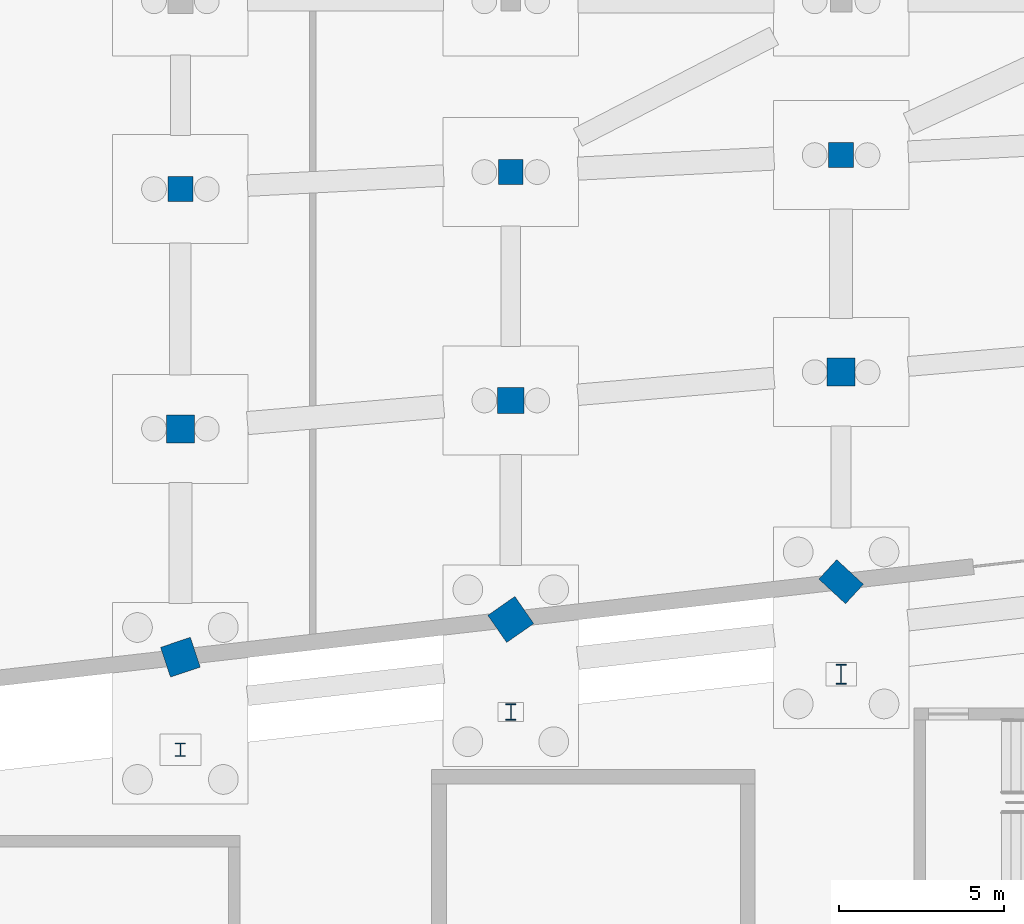
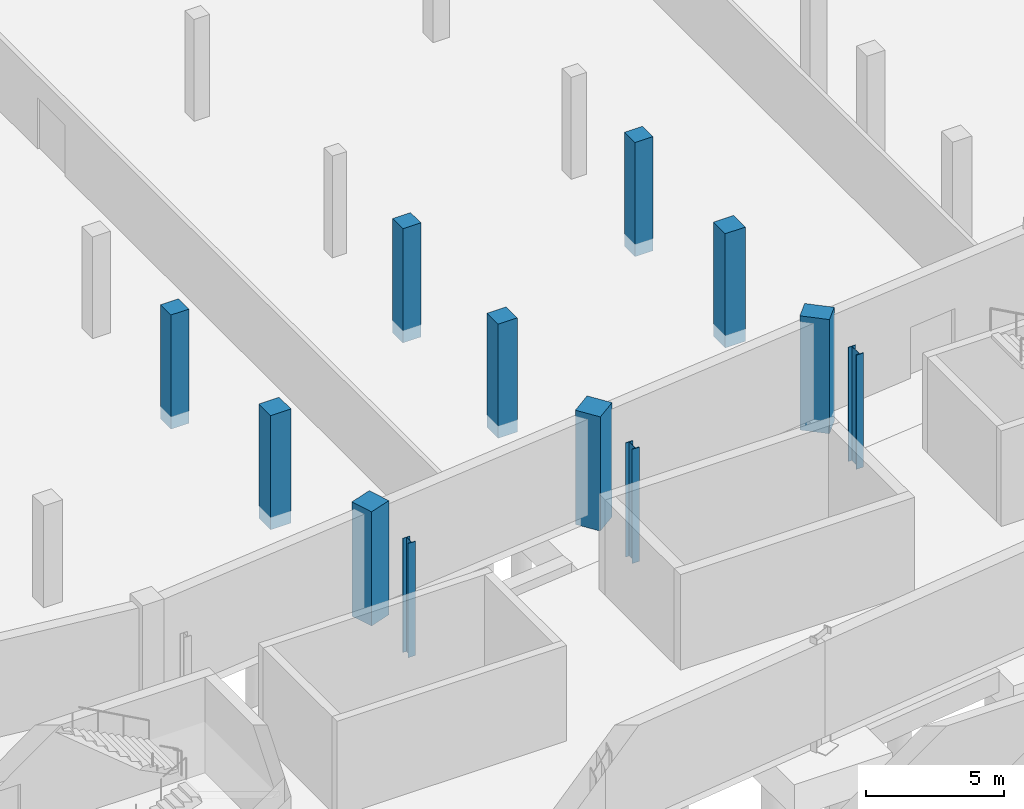
# One storey, part 15 of 55: 12 columns.
"""IFC4 building model written with IfcOpenShell, lengths in metres."""

from ifc_helpers import new_model, si_unit, direction, frame, origin, origin_2d, place, context, subcontext, project, spatial, rectangle, i_section, extrude, material, material_profile, profile_set, type_object, element, save


model = new_model("IFC4")

# Units and contexts
model_context = context("Model", 3, precision=1e-05, world=origin(), true_north=direction((0.0, 1.0)))
body_context = subcontext(model_context, "Body", "Model", "MODEL_VIEW")
ifc_project = project(units=[si_unit("LENGTHUNIT", "METRE"), si_unit("AREAUNIT", "SQUARE_METRE"), si_unit("VOLUMEUNIT", "CUBIC_METRE"), si_unit("PLANEANGLEUNIT", "RADIAN"), si_unit("MASSUNIT", "GRAM", prefix="KILO")], contexts=[model_context])

# Site, building, storey
site_placement = place(None, origin())
site = spatial("IfcSite", under=ifc_project, at=site_placement, CompositionType="ELEMENT")
building_placement = place(site_placement, origin())
building = spatial("IfcBuilding", under=site, at=building_placement, Name="Sohan Crest Arena", CompositionType="ELEMENT")
storey_placement = place(building_placement, frame((0.0, 0.0, -4.5)))
storey = spatial("IfcBuildingStorey", under=building, at=storey_placement, Name="B1", CompositionType="ELEMENT", Elevation=-4.5)

# Columns
ifc_material_1 = material(Name="Concrete C40/50", Category="concrete")
ifc_material_profile_1 = material_profile(ifc_material_1, rectangle(XDim=0.75, YDim=0.75, at=origin_2d()), Name="RC 750x750")
ifc_profile_set_1 = profile_set([ifc_material_profile_1], Name="Concrete C40/50")
column_type_1 = type_object("IfcColumnType", Name="STR-COL-C04", PredefinedType="COLUMN", material=ifc_profile_set_1)
for number, where, z_axis, x_axis, name in (
    (1, (108.0, 62.31396484375, -0.550048828125), (0.0, 0.0, 1.0), (1.0, 0.0, 0.0), "Structural column COL-V1I-14-B1"),
    (2, (118.0, 62.8291015625, -0.550048828125), (0.0, 0.0, 1.0), (1.0, 0.0, 0.0), "Structural column COL-V1I-15-B1"),
    (3, (128.0, 63.343017578125, -0.550048828125), (0.0, 0.0, 1.0), (1.0, 0.0, 0.0), "Structural column COL-V1I-16-B1"),
):
    element("IfcColumn", number, at=place(storey_placement, frame(where, z_axis=z_axis, x_axis=x_axis)), inside=storey, type_object=column_type_1, Name=name, PredefinedType="COLUMN", context=body_context, shape_type="SweptSolid", body=[
        extrude(rectangle(XDim=0.75, YDim=0.75, at=origin_2d()), origin(), (0.0, 0.0, 1.0), 5.050048828125),
    ])
ifc_material_profile_2 = material_profile(ifc_material_1, rectangle(XDim=0.800048828125, YDim=0.800048828125, at=origin_2d()), Name="RC 800x800")
ifc_profile_set_2 = profile_set([ifc_material_profile_2], Name="Concrete C40/50")
column_type_2 = type_object("IfcColumnType", Name="STR-COL-C05", PredefinedType="COLUMN", material=ifc_profile_set_2)
column_1_placement = place(storey_placement, frame((118.0, 55.9140625, -0.550048828125), z_axis=(0.0, 0.0, 1.0), x_axis=(1.0, 0.0, 0.0)))
element("IfcColumn", 4, at=column_1_placement, inside=storey, type_object=column_type_2, Name="Structural column COL-V1M-15-B1", PredefinedType="COLUMN", context=body_context, shape_type="SweptSolid", body=[
    extrude(rectangle(XDim=0.800048828125, YDim=0.800048828125, at=origin_2d()), origin(), (0.0, 0.0, 1.0), 5.050048828125),
])
ifc_material_profile_3 = material_profile(ifc_material_1, rectangle(XDim=0.85009765625, YDim=0.85009765625, at=origin_2d()), Name="RC 850x850")
ifc_profile_set_3 = profile_set([ifc_material_profile_3], Name="Concrete C40/50")
column_type_3 = type_object("IfcColumnType", Name="STR-COL-C06", PredefinedType="COLUMN", material=ifc_profile_set_3)
for number, where, z_axis, x_axis, name in (
    (5, (108.0, 55.056884765625, -0.550048828125), (0.0, 0.0, 1.0), (1.0, 0.0, 0.0), "Structural column COL-V1M-14-B1"),
    (6, (128.0, 56.77099609375, -0.550048828125), (0.0, 0.0, 1.0), (1.0, 0.0, 0.0), "Structural column COL-V1M-16-B1"),
):
    element("IfcColumn", number, at=place(storey_placement, frame(where, z_axis=z_axis, x_axis=x_axis)), inside=storey, type_object=column_type_3, Name=name, PredefinedType="COLUMN", context=body_context, shape_type="SweptSolid", body=[
        extrude(rectangle(XDim=0.85009765625, YDim=0.85009765625, at=origin_2d()), origin(), (0.0, 0.0, 1.0), 5.050048828125),
    ])
ifc_material_profile_4 = material_profile(ifc_material_1, rectangle(XDim=0.949951171875, YDim=0.949951171875, at=origin_2d()), Name="RC 950x950")
ifc_profile_set_4 = profile_set([ifc_material_profile_4], Name="Concrete C40/50")
column_type_4 = type_object("IfcColumnType", Name="STR-COL-C08", PredefinedType="COLUMN", material=ifc_profile_set_4)
column_2_placement = place(storey_placement, frame((108.0, 48.14306640625, -0.550048828125), z_axis=(0.0, 0.0, 1.0), x_axis=(-0.317304656405, 0.948323655206, 0.0)))
element("IfcColumn", 7, at=column_2_placement, inside=storey, type_object=column_type_4, Name="Structural column COL-V1R-14-B1", PredefinedType="COLUMN", context=body_context, shape_type="SweptSolid", body=[
    extrude(rectangle(XDim=0.949951171875, YDim=0.949951171875, at=origin_2d()), origin(), (0.0, 0.0, 1.0), 5.050048828125),
])
ifc_material_profile_5 = material_profile(ifc_material_1, rectangle(XDim=1.0, YDim=1.0, at=origin_2d()), Name="RC 1000x1000")
ifc_profile_set_5 = profile_set([ifc_material_profile_5], Name="Concrete C40/50")
column_type_5 = type_object("IfcColumnType", Name="STR-COL-C09", PredefinedType="COLUMN", material=ifc_profile_set_5)
column_3_placement = place(storey_placement, frame((118.0, 49.285888671875, -0.550048828125), z_axis=(0.0, 0.0, 1.0), x_axis=(-0.572145873446, 0.820151875874, 0.0)))
element("IfcColumn", 8, at=column_3_placement, inside=storey, type_object=column_type_5, Name="Structural column COL-V1R-15-B1", PredefinedType="COLUMN", context=body_context, shape_type="SweptSolid", body=[
    extrude(rectangle(XDim=1.0, YDim=1.0, at=origin_2d()), origin(), (0.0, 0.0, 1.0), 5.050048828125),
])
ifc_material_profile_6 = material_profile(ifc_material_1, rectangle(XDim=1.10009765625, YDim=0.800048828125, at=origin_2d()), Name="RC 1100x800")
ifc_profile_set_6 = profile_set([ifc_material_profile_6], Name="Concrete C40/50")
column_type_6 = type_object("IfcColumnType", Name="STR-COL-C10", PredefinedType="COLUMN", material=ifc_profile_set_6)
column_4_placement = place(storey_placement, frame((128.0, 50.428955078125, -0.550048828125), z_axis=(0.0, 0.0, 1.0), x_axis=(-0.73609708712, 0.676875969683, 0.0)))
element("IfcColumn", 9, at=column_4_placement, inside=storey, type_object=column_type_6, Name="Structural column COL-V1R-16-B1", PredefinedType="COLUMN", context=body_context, shape_type="SweptSolid", body=[
    extrude(rectangle(XDim=1.10009765625, YDim=0.800048828125, at=origin_2d()), origin(), (0.0, 0.0, 1.0), 5.050048828125),
])
ifc_material_2 = material(Name="Steel S355", Category="steel")
ifc_material_profile_7 = material_profile(ifc_material_2, i_section(OverallWidth=0.300048828125, OverallDepth=0.39990234375, WebThickness=0.013427734375, FlangeThickness=0.02392578125, at=origin_2d()), Name="HEB 400")
ifc_profile_set_7 = profile_set([ifc_material_profile_7], Name="Steel S355")
column_type_7 = type_object("IfcColumnType", Name="STR-COL-C18", PredefinedType="COLUMN", material=ifc_profile_set_7)
column_5_placement = place(storey_placement, frame((108.0, 45.343017578125, -0.550048828125), z_axis=(0.0, 0.0, 1.0), x_axis=(1.0, 0.0, 0.0)))
element("IfcColumn", 10, at=column_5_placement, inside=storey, type_object=column_type_7, Name="Structural column COL-V2I-14-B1", PredefinedType="COLUMN", context=body_context, shape_type="SweptSolid", body=[
    extrude(i_section(OverallWidth=0.300048828125, OverallDepth=0.39990234375, WebThickness=0.013427734375, FlangeThickness=0.02392578125, at=origin_2d()), origin(), (0.0, 0.0, 1.0), 5.050048828125),
])
ifc_material_profile_8 = material_profile(ifc_material_2, i_section(OverallWidth=0.300048828125, OverallDepth=0.5, WebThickness=0.014404296875, FlangeThickness=0.028076171875, at=origin_2d()), Name="HEB 500")
ifc_profile_set_8 = profile_set([ifc_material_profile_8], Name="Steel S355")
column_type_8 = type_object("IfcColumnType", Name="STR-COL-C19", PredefinedType="COLUMN", material=ifc_profile_set_8)
column_6_placement = place(storey_placement, frame((118.0, 46.486083984375, -0.550048828125), z_axis=(0.0, 0.0, 1.0), x_axis=(1.0, 0.0, 0.0)))
element("IfcColumn", 11, at=column_6_placement, inside=storey, type_object=column_type_8, Name="Structural column COL-V2I-15-B1", PredefinedType="COLUMN", context=body_context, shape_type="SweptSolid", body=[
    extrude(i_section(OverallWidth=0.300048828125, OverallDepth=0.5, WebThickness=0.014404296875, FlangeThickness=0.028076171875, at=origin_2d()), origin(), (0.0, 0.0, 1.0), 5.050048828125),
])
ifc_material_profile_9 = material_profile(ifc_material_2, i_section(OverallWidth=0.300048828125, OverallDepth=0.60009765625, WebThickness=0.015380859375, FlangeThickness=0.030029296875, at=origin_2d()), Name="HEB 600")
ifc_profile_set_9 = profile_set([ifc_material_profile_9], Name="Steel S355")
column_type_9 = type_object("IfcColumnType", Name="STR-COL-C20", PredefinedType="COLUMN", material=ifc_profile_set_9)
column_7_placement = place(storey_placement, frame((128.0, 47.62890625, -0.550048828125), z_axis=(0.0, 0.0, 1.0), x_axis=(1.0, 0.0, 0.0)))
element("IfcColumn", 12, at=column_7_placement, inside=storey, type_object=column_type_9, Name="Structural column COL-V2I-16-B1", PredefinedType="COLUMN", context=body_context, shape_type="SweptSolid", body=[
    extrude(i_section(OverallWidth=0.300048828125, OverallDepth=0.60009765625, WebThickness=0.015380859375, FlangeThickness=0.030029296875, at=origin_2d()), origin(), (0.0, 0.0, 1.0), 5.050048828125),
])

save(model, "model.ifc")
